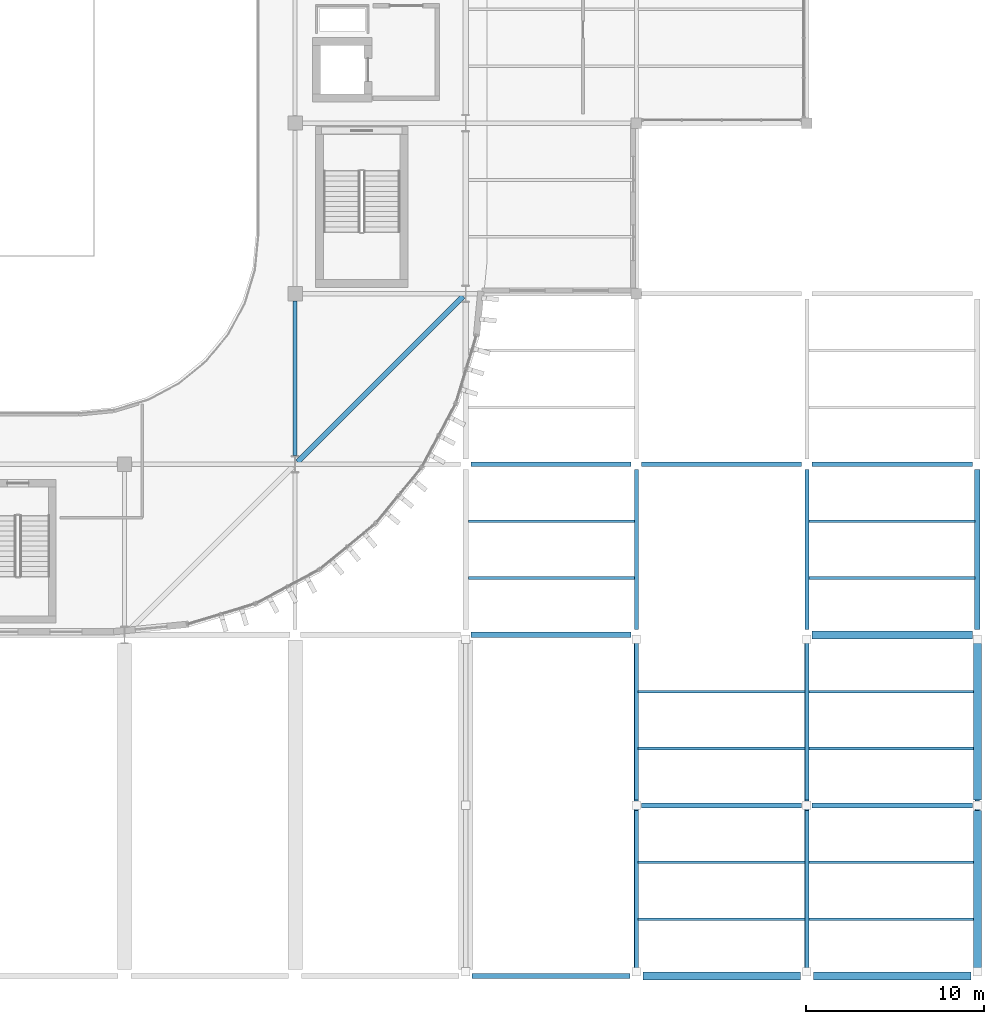
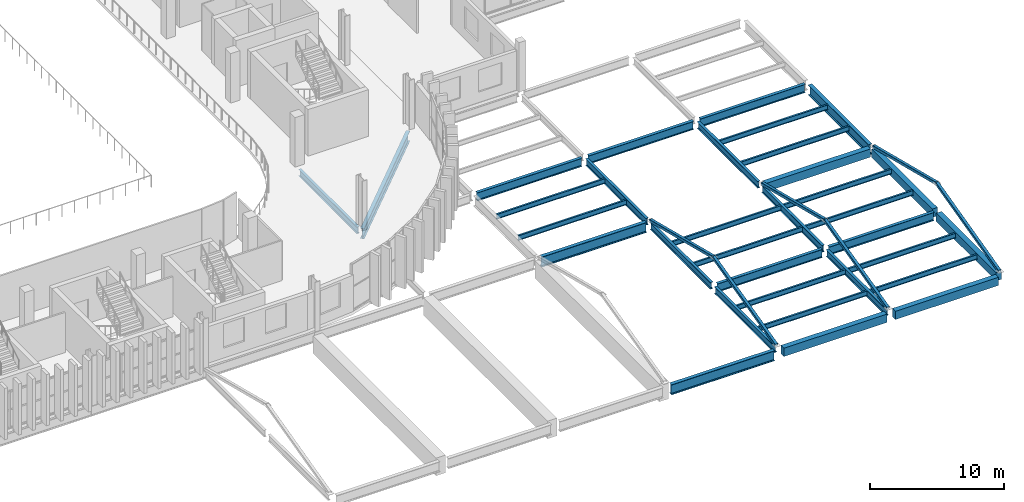
# One storey, part 19 of 75: 39 beams.
"""IFC4 building model written with IfcOpenShell, lengths in metres."""

from ifc_helpers import new_model, si_unit, direction, frame, origin, origin_2d, place, context, subcontext, project, spatial, rectangle, hollow_rectangle, i_section, extrude, material, material_profile, profile_set, type_object, element, save


model = new_model("IFC4")

# Units and contexts
model_context = context("Model", 3, precision=1e-05, world=origin(), true_north=direction((0.0, 1.0)))
body_context = subcontext(model_context, "Body", "Model", "MODEL_VIEW")
ifc_project = project(units=[si_unit("LENGTHUNIT", "METRE"), si_unit("AREAUNIT", "SQUARE_METRE"), si_unit("VOLUMEUNIT", "CUBIC_METRE"), si_unit("PLANEANGLEUNIT", "RADIAN"), si_unit("MASSUNIT", "GRAM", prefix="KILO")], contexts=[model_context])

# Site, building, storey
site_placement = place(None, origin())
site = spatial("IfcSite", under=ifc_project, at=site_placement, CompositionType="ELEMENT")
building_placement = place(site_placement, origin())
building = spatial("IfcBuilding", under=site, at=building_placement, Name="Caelomonte Colonnade Arena", CompositionType="ELEMENT")
storey_placement = place(building_placement, frame((0.0, 0.0, 14.10009765625)))
storey = spatial("IfcBuildingStorey", under=building, at=storey_placement, Name="L03", CompositionType="ELEMENT", Elevation=14.10009765625)

# Beams
ifc_material_1 = material(Name="Wide-flange steel ASTM A992 Grade 50", Category="steel")
ifc_material_profile_1 = material_profile(ifc_material_1, i_section(OverallWidth=0.307861328125, OverallDepth=0.927001953125, WebThickness=0.019287109375, FlangeThickness=0.031982421875, FilletRadius=0.020263671875, at=origin_2d()), Name="W36X194")
ifc_profile_set_1 = profile_set([ifc_material_profile_1], Name="Wide-flange steel ASTM A992 Grade 50")
beam_type_1 = type_object("IfcBeamType", Name="STR-BM-EAVES2", PredefinedType="SPANDREL", material=ifc_profile_set_1)
beam_1_placement = place(storey_placement, frame((163.56689453125, 0.0, -0.74365234375), z_axis=(1.0, 0.0, 0.0), x_axis=(0.0, 1.0, 0.0)))
element("IfcBeam", 1, at=beam_1_placement, inside=storey, type_object=beam_type_1, Name="L03 girder BMX-L03-1632-0000", PredefinedType="SPANDREL", context=body_context, shape_type="SweptSolid", body=[
    extrude(i_section(OverallWidth=0.307861328125, OverallDepth=0.927001953125, WebThickness=0.019287109375, FlangeThickness=0.031982421875, FilletRadius=0.020263671875, at=origin_2d()), origin(), (0.0, 0.0, 1.0), 8.8662109375),
])
for number, where, z_axis, x_axis, name in (
    (2, (163.491943359375, 19.199951171875, -0.74365234375), (1.0, 0.0, 0.0), (0.0, 1.0, 0.0), "L03 girder BMX-L03-1632-0192"),
    (3, (192.0, 19.491943359375, -0.74365234375), (0.0, 1.0, 0.0), (-1.0, 0.0, 0.0), "L03 girder BMY-L03-1920-0192"),
):
    element("IfcBeam", number, at=place(storey_placement, frame(where, z_axis=z_axis, x_axis=x_axis)), inside=storey, type_object=beam_type_1, Name=name, PredefinedType="SPANDREL", context=body_context, shape_type="SweptSolid", body=[
        extrude(i_section(OverallWidth=0.307861328125, OverallDepth=0.927001953125, WebThickness=0.019287109375, FlangeThickness=0.031982421875, FilletRadius=0.020263671875, at=origin_2d()), origin(), (0.0, 0.0, 1.0), 9.01611328125),
    ])
beam_2_placement = place(storey_placement, frame((153.742431640625, 28.9423828125, -0.74365234375), z_axis=(0.707106781187, 0.707106781187, 0.0), x_axis=(-0.707106781187, 0.707106781187, 0.0)))
element("IfcBeam", 4, at=beam_2_placement, inside=storey, type_object=beam_type_1, Name="L03 drum corner ring girder 4", PredefinedType="SPANDREL", context=body_context, shape_type="SweptSolid", body=[
    extrude(i_section(OverallWidth=0.307861328125, OverallDepth=0.927001953125, WebThickness=0.019287109375, FlangeThickness=0.031982421875, FilletRadius=0.020263671875, at=origin_2d()), origin(), (0.0, 0.0, 1.0), 13.173583984375),
])
ifc_material_profile_2 = material_profile(ifc_material_1, i_section(OverallWidth=0.228271484375, OverallDepth=0.607177734375, WebThickness=0.01123046875, FlangeThickness=0.017333984375, FilletRadius=0.0126953125, at=origin_2d()), Name="W24X76")
ifc_profile_set_2 = profile_set([ifc_material_profile_2], Name="Wide-flange steel ASTM A992 Grade 50")
beam_type_2 = type_object("IfcBeamType", Name="STR-BM-GIRD24", PredefinedType="BEAM", material=ifc_profile_set_2)
beam_3_placement = place(storey_placement, frame((153.60009765625, 29.297607421875, -0.58349609375), z_axis=(0.0, 1.0, 0.0), x_axis=(-1.0, 0.0, 0.0)))
element("IfcBeam", 5, at=beam_3_placement, inside=storey, type_object=beam_type_2, Name="L03 girder BMY-L03-1536-0288", PredefinedType="BEAM", context=body_context, shape_type="SweptSolid", body=[
    extrude(i_section(OverallWidth=0.228271484375, OverallDepth=0.607177734375, WebThickness=0.01123046875, FlangeThickness=0.017333984375, FilletRadius=0.0126953125, at=origin_2d()), origin(), (0.0, 0.0, 1.0), 8.685302734375),
])
beam_4_placement = place(storey_placement, frame((172.800048828125, 0.366943359375, -0.58349609375), z_axis=(0.0, 1.0, 0.0), x_axis=(-1.0, 0.0, 0.0)))
element("IfcBeam", 6, at=beam_4_placement, inside=storey, type_object=beam_type_2, Name="L03 girder BMY-L03-1728-0000", PredefinedType="BEAM", context=body_context, shape_type="SweptSolid", body=[
    extrude(i_section(OverallWidth=0.228271484375, OverallDepth=0.607177734375, WebThickness=0.01123046875, FlangeThickness=0.017333984375, FilletRadius=0.0126953125, at=origin_2d()), origin(), (0.0, 0.0, 1.0), 8.941162109375),
])
beam_5_placement = place(storey_placement, frame((172.800048828125, 9.89208984375, -0.58349609375), z_axis=(0.0, 1.0, 0.0), x_axis=(-1.0, 0.0, 0.0)))
element("IfcBeam", 7, at=beam_5_placement, inside=storey, type_object=beam_type_2, Name="L03 girder BMY-L03-1728-0096", PredefinedType="BEAM", context=body_context, shape_type="SweptSolid", body=[
    extrude(i_section(OverallWidth=0.228271484375, OverallDepth=0.607177734375, WebThickness=0.01123046875, FlangeThickness=0.017333984375, FilletRadius=0.0126953125, at=origin_2d()), origin(), (0.0, 0.0, 1.0), 9.015869140625),
])
beam_6_placement = place(storey_placement, frame((172.800048828125, 19.491943359375, -0.58349609375), z_axis=(0.0, 1.0, 0.0), x_axis=(-1.0, 0.0, 0.0)))
element("IfcBeam", 8, at=beam_6_placement, inside=storey, type_object=beam_type_2, Name="L03 girder BMY-L03-1728-0192", PredefinedType="BEAM", context=body_context, shape_type="SweptSolid", body=[
    extrude(i_section(OverallWidth=0.228271484375, OverallDepth=0.607177734375, WebThickness=0.01123046875, FlangeThickness=0.017333984375, FilletRadius=0.0126953125, at=origin_2d()), origin(), (0.0, 0.0, 1.0), 9.01611328125),
])
beam_7_placement = place(storey_placement, frame((182.39990234375, 0.366943359375, -0.58349609375), z_axis=(0.0, 1.0, 0.0), x_axis=(-1.0, 0.0, 0.0)))
element("IfcBeam", 9, at=beam_7_placement, inside=storey, type_object=beam_type_2, Name="L03 girder BMY-L03-1824-0000", PredefinedType="BEAM", context=body_context, shape_type="SweptSolid", body=[
    extrude(i_section(OverallWidth=0.228271484375, OverallDepth=0.607177734375, WebThickness=0.01123046875, FlangeThickness=0.017333984375, FilletRadius=0.0126953125, at=origin_2d()), origin(), (0.0, 0.0, 1.0), 8.941162109375),
])
beam_8_placement = place(storey_placement, frame((182.39990234375, 9.89208984375, -0.58349609375), z_axis=(0.0, 1.0, 0.0), x_axis=(-1.0, 0.0, 0.0)))
element("IfcBeam", 10, at=beam_8_placement, inside=storey, type_object=beam_type_2, Name="L03 girder BMY-L03-1824-0096", PredefinedType="BEAM", context=body_context, shape_type="SweptSolid", body=[
    extrude(i_section(OverallWidth=0.228271484375, OverallDepth=0.607177734375, WebThickness=0.01123046875, FlangeThickness=0.017333984375, FilletRadius=0.0126953125, at=origin_2d()), origin(), (0.0, 0.0, 1.0), 9.015869140625),
])
beam_9_placement = place(storey_placement, frame((182.39990234375, 19.491943359375, -0.58349609375), z_axis=(0.0, 1.0, 0.0), x_axis=(-1.0, 0.0, 0.0)))
element("IfcBeam", 11, at=beam_9_placement, inside=storey, type_object=beam_type_2, Name="L03 girder BMY-L03-1824-0192", PredefinedType="BEAM", context=body_context, shape_type="SweptSolid", body=[
    extrude(i_section(OverallWidth=0.228271484375, OverallDepth=0.607177734375, WebThickness=0.01123046875, FlangeThickness=0.017333984375, FilletRadius=0.0126953125, at=origin_2d()), origin(), (0.0, 0.0, 1.0), 9.01611328125),
])
ifc_material_profile_3 = material_profile(ifc_material_1, i_section(OverallWidth=0.265380859375, OverallDepth=0.75439453125, WebThickness=0.01318359375, FlangeThickness=0.01708984375, FilletRadius=0.0166015625, at=origin_2d()), Name="W30X99")
ifc_profile_set_3 = profile_set([ifc_material_profile_3], Name="Wide-flange steel ASTM A992 Grade 50")
beam_type_3 = type_object("IfcBeamType", Name="STR-BM-GIRD30B", PredefinedType="BEAM", material=ifc_profile_set_3)
beam_10_placement = place(storey_placement, frame((173.092041015625, 9.60009765625, -0.6572265625), z_axis=(1.0, 0.0, 0.0), x_axis=(0.0, 1.0, 0.0)))
element("IfcBeam", 12, at=beam_10_placement, inside=storey, type_object=beam_type_3, Name="L03 girder BMX-L03-1728-0096", PredefinedType="BEAM", context=body_context, shape_type="SweptSolid", body=[
    extrude(i_section(OverallWidth=0.265380859375, OverallDepth=0.75439453125, WebThickness=0.01318359375, FlangeThickness=0.01708984375, FilletRadius=0.0166015625, at=origin_2d()), origin(), (0.0, 0.0, 1.0), 9.015869140625),
])
for number, where, z_axis, x_axis, name in (
    (13, (182.69189453125, 9.60009765625, -0.6572265625), (1.0, 0.0, 0.0), (0.0, 1.0, 0.0), "L03 girder BMX-L03-1824-0096"),
    (14, (163.491943359375, 28.800048828125, -0.6572265625), (1.0, 0.0, 0.0), (0.0, 1.0, 0.0), "L03 girder BMX-L03-1632-0288"),
):
    element("IfcBeam", number, at=place(storey_placement, frame(where, z_axis=z_axis, x_axis=x_axis)), inside=storey, type_object=beam_type_3, Name=name, PredefinedType="BEAM", context=body_context, shape_type="SweptSolid", body=[
        extrude(i_section(OverallWidth=0.265380859375, OverallDepth=0.75439453125, WebThickness=0.01318359375, FlangeThickness=0.01708984375, FilletRadius=0.0166015625, at=origin_2d()), origin(), (0.0, 0.0, 1.0), 9.01611328125),
    ])
beam_11_placement = place(storey_placement, frame((173.092041015625, 28.800048828125, -0.6572265625), z_axis=(1.0, 0.0, 0.0), x_axis=(0.0, 1.0, 0.0)))
element("IfcBeam", 15, at=beam_11_placement, inside=storey, type_object=beam_type_3, Name="L03 girder BMX-L03-1728-0288", PredefinedType="BEAM", context=body_context, shape_type="SweptSolid", body=[
    extrude(i_section(OverallWidth=0.265380859375, OverallDepth=0.75439453125, WebThickness=0.01318359375, FlangeThickness=0.01708984375, FilletRadius=0.0166015625, at=origin_2d()), origin(), (0.0, 0.0, 1.0), 9.015869140625),
])
beam_12_placement = place(storey_placement, frame((182.69189453125, 28.800048828125, -0.6572265625), z_axis=(1.0, 0.0, 0.0), x_axis=(0.0, 1.0, 0.0)))
element("IfcBeam", 16, at=beam_12_placement, inside=storey, type_object=beam_type_3, Name="L03 girder BMX-L03-1824-0288", PredefinedType="BEAM", context=body_context, shape_type="SweptSolid", body=[
    extrude(i_section(OverallWidth=0.265380859375, OverallDepth=0.75439453125, WebThickness=0.01318359375, FlangeThickness=0.01708984375, FilletRadius=0.0166015625, at=origin_2d()), origin(), (0.0, 0.0, 1.0), 9.01611328125),
])
ifc_material_profile_4 = material_profile(ifc_material_1, i_section(OverallWidth=0.15283203125, OverallDepth=0.45458984375, WebThickness=0.008056640625, FlangeThickness=0.01318359375, FilletRadius=0.01025390625, at=origin_2d()), Name="W18X40")
ifc_profile_set_4 = profile_set([ifc_material_profile_4], Name="Wide-flange steel ASTM A992 Grade 50")
beam_type_4 = type_object("IfcBeamType", Name="STR-BM-JOIST18B", PredefinedType="JOIST", material=ifc_profile_set_4)
for number, where, z_axis, x_axis, name in (
    (17, (163.348876953125, 22.39990234375, -0.50732421875), (1.0, 0.0, 0.0), (0.0, 1.0, 0.0), "L03 secondary joist 1"),
    (18, (163.348876953125, 25.60009765625, -0.50732421875), (1.0, 0.0, 0.0), (0.0, 1.0, 0.0), "L03 secondary joist 2"),
):
    element("IfcBeam", number, at=place(storey_placement, frame(where, z_axis=z_axis, x_axis=x_axis)), inside=storey, type_object=beam_type_4, Name=name, PredefinedType="JOIST", context=body_context, shape_type="SweptSolid", body=[
        extrude(i_section(OverallWidth=0.15283203125, OverallDepth=0.45458984375, WebThickness=0.008056640625, FlangeThickness=0.01318359375, FilletRadius=0.01025390625, at=origin_2d()), origin(), (0.0, 0.0, 1.0), 9.342041015625),
    ])
for number, where, z_axis, x_axis, name in (
    (19, (172.9091796875, 3.199951171875, -0.50732421875), (1.0, 0.0, 0.0), (0.0, 1.0, 0.0), "L03 secondary joist 1"),
    (20, (172.9091796875, 6.39990234375, -0.50732421875), (1.0, 0.0, 0.0), (0.0, 1.0, 0.0), "L03 secondary joist 2"),
    (21, (172.9091796875, 12.800048828125, -0.50732421875), (1.0, 0.0, 0.0), (0.0, 1.0, 0.0), "L03 secondary joist 1"),
    (22, (172.9091796875, 16.0, -0.50732421875), (1.0, 0.0, 0.0), (0.0, 1.0, 0.0), "L03 secondary joist 2"),
):
    element("IfcBeam", number, at=place(storey_placement, frame(where, z_axis=z_axis, x_axis=x_axis)), inside=storey, type_object=beam_type_4, Name=name, PredefinedType="JOIST", context=body_context, shape_type="SweptSolid", body=[
        extrude(i_section(OverallWidth=0.15283203125, OverallDepth=0.45458984375, WebThickness=0.008056640625, FlangeThickness=0.01318359375, FilletRadius=0.01025390625, at=origin_2d()), origin(), (0.0, 0.0, 1.0), 9.3818359375),
    ])
for number, where, z_axis, x_axis, name in (
    (23, (182.50927734375, 3.199951171875, -0.50732421875), (1.0, 0.0, 0.0), (0.0, 1.0, 0.0), "L03 secondary joist 1"),
    (24, (182.50927734375, 6.39990234375, -0.50732421875), (1.0, 0.0, 0.0), (0.0, 1.0, 0.0), "L03 secondary joist 2"),
    (25, (182.50927734375, 12.800048828125, -0.50732421875), (1.0, 0.0, 0.0), (0.0, 1.0, 0.0), "L03 secondary joist 1"),
    (26, (182.50927734375, 16.0, -0.50732421875), (1.0, 0.0, 0.0), (0.0, 1.0, 0.0), "L03 secondary joist 2"),
):
    element("IfcBeam", number, at=place(storey_placement, frame(where, z_axis=z_axis, x_axis=x_axis)), inside=storey, type_object=beam_type_4, Name=name, PredefinedType="JOIST", context=body_context, shape_type="SweptSolid", body=[
        extrude(i_section(OverallWidth=0.15283203125, OverallDepth=0.45458984375, WebThickness=0.008056640625, FlangeThickness=0.01318359375, FilletRadius=0.01025390625, at=origin_2d()), origin(), (0.0, 0.0, 1.0), 9.270751953125),
    ])
for number, where, z_axis, x_axis, name in (
    (27, (182.50927734375, 22.39990234375, -0.50732421875), (1.0, 0.0, 0.0), (0.0, 1.0, 0.0), "L03 secondary joist 1"),
    (28, (182.50927734375, 25.60009765625, -0.50732421875), (1.0, 0.0, 0.0), (0.0, 1.0, 0.0), "L03 secondary joist 2"),
):
    element("IfcBeam", number, at=place(storey_placement, frame(where, z_axis=z_axis, x_axis=x_axis)), inside=storey, type_object=beam_type_4, Name=name, PredefinedType="JOIST", context=body_context, shape_type="SweptSolid", body=[
        extrude(i_section(OverallWidth=0.15283203125, OverallDepth=0.45458984375, WebThickness=0.008056640625, FlangeThickness=0.01318359375, FilletRadius=0.01025390625, at=origin_2d()), origin(), (0.0, 0.0, 1.0), 9.341796875),
    ])
ifc_material_2 = material(Name="Steel ASTM A500 Grade C", Category="steel")
ifc_material_profile_5 = material_profile(ifc_material_2, hollow_rectangle(XDim=0.25390625, YDim=0.25390625, WallThickness=0.009521484375, InnerFilletRadius=0.009521484375, OuterFilletRadius=0.01904296875, at=origin_2d()), Name="HSS254X254X9.5")
ifc_profile_set_5 = profile_set([ifc_material_profile_5], Name="Steel ASTM A500 Grade C")
beam_type_5 = type_object("IfcBeamType", Name="STR-BM-PED1", PredefinedType="BEAM", material=ifc_profile_set_5)
for number, where, z_axis, x_axis, name in (
    (29, (172.800048828125, 0.251953125, -0.149658203125), (0.0, 0.969834734998, 0.243763382795), (-1.0, 0.0, 0.0), "Pediment rafter beam S-172"),
    (30, (172.800048828125, 18.947998046875, -0.149658203125), (0.0, -0.969834734998, 0.243763382795), (1.0, 0.0, 0.0), "Pediment rafter beam N-172"),
    (31, (182.39990234375, 0.251953125, -0.149658203125), (0.0, 0.969834734998, 0.243763382795), (-1.0, 0.0, 0.0), "Pediment rafter beam S-182"),
    (32, (182.39990234375, 18.947998046875, -0.149658203125), (0.0, -0.969834734998, 0.243763382795), (1.0, 0.0, 0.0), "Pediment rafter beam N-182"),
    (33, (192.0, 0.251953125, -0.149658203125), (0.0, 0.969834734998, 0.243763382795), (-1.0, 0.0, 0.0), "Pediment rafter beam S-192"),
    (34, (192.0, 18.947998046875, -0.149658203125), (0.0, -0.969834734998, 0.243763382795), (1.0, 0.0, 0.0), "Pediment rafter beam N-192"),
):
    element("IfcBeam", number, at=place(storey_placement, frame(where, z_axis=z_axis, x_axis=x_axis)), inside=storey, type_object=beam_type_5, Name=name, PredefinedType="BEAM", context=body_context, shape_type="SweptSolid", body=[
        extrude(hollow_rectangle(XDim=0.25390625, YDim=0.25390625, WallThickness=0.009521484375, InnerFilletRadius=0.009521484375, OuterFilletRadius=0.01904296875, at=origin_2d()), origin(), (0.0, 0.0, 1.0), 9.636962890625),
    ])
ifc_material_3 = material(Name="Concrete C40/50", Category="concrete")
ifc_material_profile_6 = material_profile(ifc_material_3, rectangle(XDim=0.449951171875, YDim=0.75, at=origin_2d()), Name="RC450X750")
ifc_profile_set_6 = profile_set([ifc_material_profile_6], Name="Concrete C40/50")
beam_type_6 = type_object("IfcBeamType", Name="STR-BM-SPAN24", PredefinedType="SPANDREL", material=ifc_profile_set_6)
for number, where, z_axis, x_axis, name in (
    (35, (173.1669921875, 0.0, -0.655029296875), (1.0, 0.0, 0.0), (0.0, 1.0, 0.0), "L03 girder BMX-L03-1728-0000"),
    (36, (182.76708984375, 0.0, -0.655029296875), (1.0, 0.0, 0.0), (0.0, 1.0, 0.0), "L03 girder BMX-L03-1824-0000"),
):
    element("IfcBeam", number, at=place(storey_placement, frame(where, z_axis=z_axis, x_axis=x_axis)), inside=storey, type_object=beam_type_6, Name=name, PredefinedType="SPANDREL", context=body_context, shape_type="SweptSolid", body=[
        extrude(rectangle(XDim=0.449951171875, YDim=0.75, at=origin_2d()), origin(), (0.0, 0.0, 1.0), 8.865966796875),
    ])
beam_13_placement = place(storey_placement, frame((182.69189453125, 19.199951171875, -0.655029296875), z_axis=(1.0, 0.0, 0.0), x_axis=(0.0, 1.0, 0.0)))
element("IfcBeam", 37, at=beam_13_placement, inside=storey, type_object=beam_type_6, Name="L03 girder BMX-L03-1824-0192", PredefinedType="SPANDREL", context=body_context, shape_type="SweptSolid", body=[
    extrude(rectangle(XDim=0.449951171875, YDim=0.75, at=origin_2d()), origin(), (0.0, 0.0, 1.0), 9.01611328125),
])
beam_14_placement = place(storey_placement, frame((192.0, 0.366943359375, -0.655029296875), z_axis=(0.0, 1.0, 0.0), x_axis=(-1.0, 0.0, 0.0)))
element("IfcBeam", 38, at=beam_14_placement, inside=storey, type_object=beam_type_6, Name="L03 girder BMY-L03-1920-0000", PredefinedType="SPANDREL", context=body_context, shape_type="SweptSolid", body=[
    extrude(rectangle(XDim=0.449951171875, YDim=0.75, at=origin_2d()), origin(), (0.0, 0.0, 1.0), 8.941162109375),
])
beam_15_placement = place(storey_placement, frame((192.0, 9.89208984375, -0.655029296875), z_axis=(0.0, 1.0, 0.0), x_axis=(-1.0, 0.0, 0.0)))
element("IfcBeam", 39, at=beam_15_placement, inside=storey, type_object=beam_type_6, Name="L03 girder BMY-L03-1920-0096", PredefinedType="SPANDREL", context=body_context, shape_type="SweptSolid", body=[
    extrude(rectangle(XDim=0.449951171875, YDim=0.75, at=origin_2d()), origin(), (0.0, 0.0, 1.0), 9.015869140625),
])

save(model, "model.ifc")
